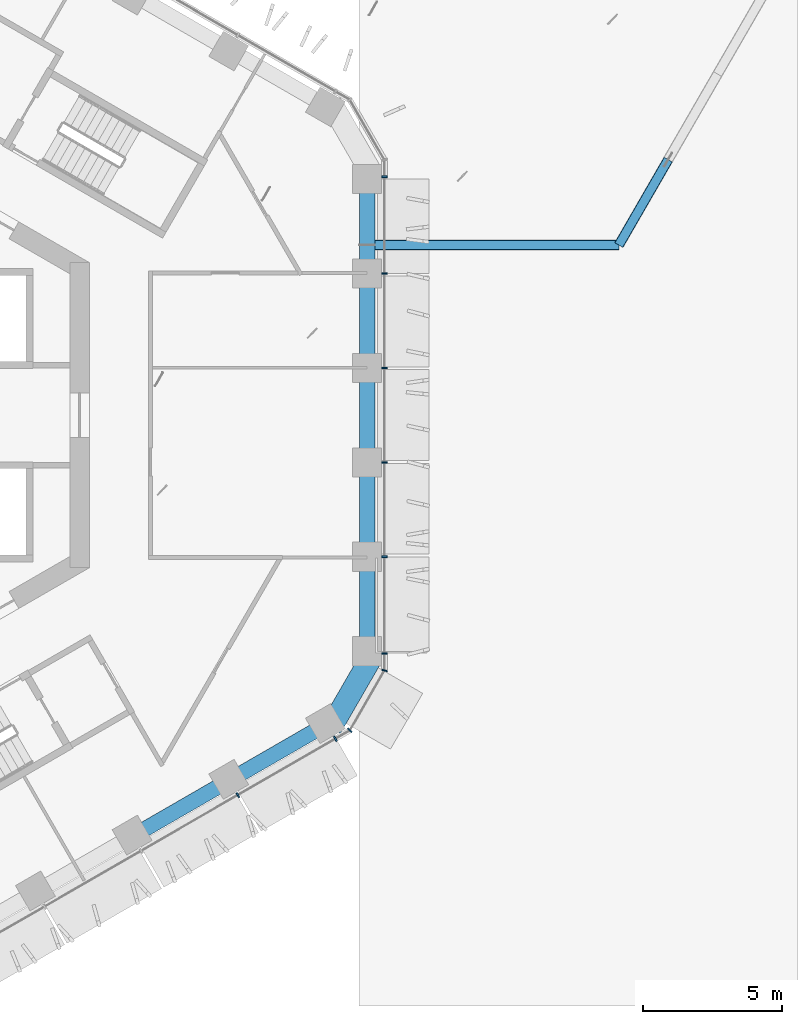
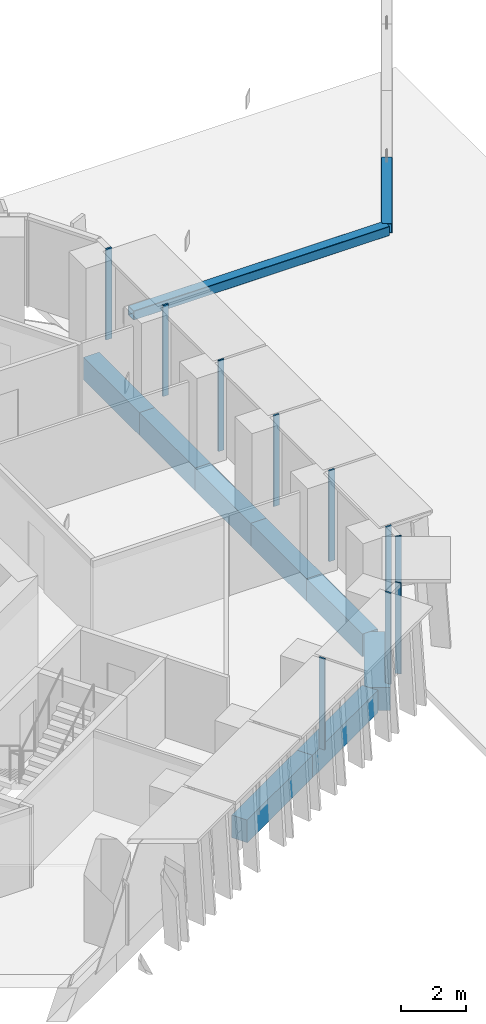
# One storey, part 4 of 25: 12 members, 8 beams, 3 elements without a shape of their own.
"""IFC4 building model written with IfcOpenShell, lengths in metres."""

from ifc_helpers import new_model, si_unit, direction, frame, origin, origin_2d, place, context, subcontext, project, spatial, rectangle, hollow_rectangle, extrude, material, layer, layer_set, material_profile, profile_set, type_object, element, aggregate, save


model = new_model("IFC4")

# Units and contexts
model_context = context("Model", 3, precision=1e-05, world=origin(), true_north=direction((0.0, 1.0)))
body_context = subcontext(model_context, "Body", "Model", "MODEL_VIEW")
ifc_project = project(units=[si_unit("LENGTHUNIT", "METRE"), si_unit("AREAUNIT", "SQUARE_METRE"), si_unit("VOLUMEUNIT", "CUBIC_METRE"), si_unit("PLANEANGLEUNIT", "RADIAN"), si_unit("MASSUNIT", "GRAM", prefix="KILO")], contexts=[model_context])

# Site, building, storey
site_placement = place(None, origin())
site = spatial("IfcSite", under=ifc_project, at=site_placement, CompositionType="ELEMENT")
building_placement = place(site_placement, origin())
building = spatial("IfcBuilding", under=site, at=building_placement, Name="Ayvan Gate Tower", CompositionType="ELEMENT")
storey_placement = place(building_placement, frame((0.0, 0.0, 132.5)))
storey = spatial("IfcBuildingStorey", under=building, at=storey_placement, Name="L35", CompositionType="ELEMENT", Elevation=132.5)

# Beam
ifc_material_1 = material(Name="Concrete C40/50", Category="concrete")
ifc_material_profile_1 = material_profile(ifc_material_1, rectangle(XDim=0.800048828125, YDim=0.85009765625, at=origin_2d()), Name="RC 800x850")
ifc_profile_set_1 = profile_set([ifc_material_profile_1], Name="Concrete C40/50")
beam_type_1 = type_object("IfcBeamType", Name="Corner spandrel beam RC 800x850 C40/50", PredefinedType="BEAM", material=ifc_profile_set_1)
beam_1_placement = place(storey_placement, frame((18.176025390625, -11.245849609375, -0.77490234375), z_axis=(0.50002537861, 0.866010750942, 0.0), x_axis=(-0.866010750942, 0.50002537861, 0.0)))
element("IfcBeam", 1, at=beam_1_placement, inside=storey, type_object=beam_type_1, Name="SB-L35-36", PredefinedType="BEAM", context=body_context, shape_type="SweptSolid", body=[
    extrude(rectangle(XDim=0.800048828125, YDim=0.85009765625, at=origin_2d()), origin(), (0.0, 0.0, 1.0), 2.999755859375),
])

# Members
ifc_material_2 = material(Name="Steel S460NH", Category="steel")
ifc_material_profile_2 = material_profile(ifc_material_2, hollow_rectangle(XDim=0.35009765625, YDim=0.35009765625, WallThickness=0.01611328125, InnerFilletRadius=0.01611328125, OuterFilletRadius=0.02392578125, at=origin_2d()), Name="RHS 350x350x16")
ifc_profile_set_2 = profile_set([ifc_material_profile_2], Name="Steel S460NH")
member_type_1 = type_object("IfcMemberType", Name="Sky bar truss brace B3 RHS 350x350x16", PredefinedType="BRACE", material=ifc_profile_set_2)
member_1_placement = place(storey_placement, frame((19.485595703125, 6.115478515625, 2.675048828125), z_axis=(1.0, 0.0, 0.0), x_axis=(0.0, 1.0, 0.0)))
element("IfcMember", 2, at=member_1_placement, inside=storey, type_object=member_type_1, Name="SBX3-B-BC-1", PredefinedType="CHORD", context=body_context, shape_type="SweptSolid", body=[
    extrude(hollow_rectangle(XDim=0.35009765625, YDim=0.35009765625, WallThickness=0.01611328125, InnerFilletRadius=0.01611328125, OuterFilletRadius=0.02392578125, at=origin_2d()), origin(), (0.0, 0.0, 1.0), 9.050048828125),
])
member_2_placement = place(storey_placement, frame((28.53564453125, 6.115478515625, 2.675048828125), z_axis=(0.500051858269, 0.865995461329, 0.0), x_axis=(-0.865995461329, 0.500051858269, 0.0)))
element("IfcMember", 3, at=member_2_placement, inside=storey, type_object=member_type_1, Name="SBX3-B-BC-2", PredefinedType="CHORD", context=body_context, shape_type="SweptSolid", body=[
    extrude(hollow_rectangle(XDim=0.35009765625, YDim=0.35009765625, WallThickness=0.01611328125, InnerFilletRadius=0.01611328125, OuterFilletRadius=0.02392578125, at=origin_2d()), origin(), (0.0, 0.0, 1.0), 3.5498046875),
])

# Beams
ifc_material_profile_3 = material_profile(ifc_material_1, rectangle(XDim=0.550048828125, YDim=0.85009765625, at=origin_2d()), Name="RC 550x850")
ifc_profile_set_3 = profile_set([ifc_material_profile_3], Name="Concrete C40/50")
beam_type_2 = type_object("IfcBeamType", Name="Spandrel beam RC 550x850 C40/50", PredefinedType="BEAM", material=ifc_profile_set_3)
beam_2_placement = place(storey_placement, frame((19.485595703125, -8.537841796875, -0.77490234375), z_axis=(0.0, 1.0, 0.0), x_axis=(-1.0, 0.0, 0.0)))
element("IfcBeam", 4, at=beam_2_placement, inside=storey, type_object=beam_type_2, Name="SB-L35-1", PredefinedType="BEAM", context=body_context, shape_type="SweptSolid", body=[
    extrude(rectangle(XDim=0.550048828125, YDim=0.85009765625, at=origin_2d()), origin(), (0.0, 0.0, 1.0), 3.4150390625),
])
beam_3_placement = place(storey_placement, frame((19.485595703125, -5.122802734375, -0.77490234375), z_axis=(0.0, 1.0, 0.0), x_axis=(-1.0, 0.0, 0.0)))
element("IfcBeam", 5, at=beam_3_placement, inside=storey, type_object=beam_type_2, Name="SB-L35-2", PredefinedType="BEAM", context=body_context, shape_type="SweptSolid", body=[
    extrude(rectangle(XDim=0.550048828125, YDim=0.85009765625, at=origin_2d()), origin(), (0.0, 0.0, 1.0), 3.415283203125),
])
beam_4_placement = place(storey_placement, frame((19.485595703125, -1.70751953125, -0.77490234375), z_axis=(0.0, 1.0, 0.0), x_axis=(-1.0, 0.0, 0.0)))
element("IfcBeam", 6, at=beam_4_placement, inside=storey, type_object=beam_type_2, Name="SB-L35-3", PredefinedType="BEAM", context=body_context, shape_type="SweptSolid", body=[
    extrude(rectangle(XDim=0.550048828125, YDim=0.85009765625, at=origin_2d()), origin(), (0.0, 0.0, 1.0), 3.4150390625),
])
beam_5_placement = place(storey_placement, frame((19.485595703125, 1.70751953125, -0.77490234375), z_axis=(0.0, 1.0, 0.0), x_axis=(-1.0, 0.0, 0.0)))
element("IfcBeam", 7, at=beam_5_placement, inside=storey, type_object=beam_type_2, Name="SB-L35-4", PredefinedType="BEAM", context=body_context, shape_type="SweptSolid", body=[
    extrude(rectangle(XDim=0.550048828125, YDim=0.85009765625, at=origin_2d()), origin(), (0.0, 0.0, 1.0), 3.415283203125),
])
beam_6_placement = place(storey_placement, frame((19.485595703125, 5.122802734375, -0.77490234375), z_axis=(0.0, 1.0, 0.0), x_axis=(-1.0, 0.0, 0.0)))
element("IfcBeam", 8, at=beam_6_placement, inside=storey, type_object=beam_type_2, Name="SB-L35-5", PredefinedType="BEAM", context=body_context, shape_type="SweptSolid", body=[
    extrude(rectangle(XDim=0.550048828125, YDim=0.85009765625, at=origin_2d()), origin(), (0.0, 0.0, 1.0), 3.4150390625),
])
beam_7_placement = place(storey_placement, frame((11.0517578125, -15.13916015625, -0.77490234375), z_axis=(0.866024114423, 0.500002233234, 0.0), x_axis=(-0.500002233234, 0.866024114423, 0.0)))
element("IfcBeam", 9, at=beam_7_placement, inside=storey, type_object=beam_type_2, Name="SB-L35-34", PredefinedType="BEAM", context=body_context, shape_type="SweptSolid", body=[
    extrude(rectangle(XDim=0.550048828125, YDim=0.85009765625, at=origin_2d()), origin(), (0.0, 0.0, 1.0), 4.00341796875),
])
beam_8_placement = place(storey_placement, frame((14.518798828125, -13.137451171875, -0.77490234375), z_axis=(0.866035275801, 0.499982900776, 0.0), x_axis=(-0.499982900776, 0.866035275801, 0.0)))
element("IfcBeam", 10, at=beam_8_placement, inside=storey, type_object=beam_type_2, Name="SB-L35-35", PredefinedType="BEAM", context=body_context, shape_type="SweptSolid", body=[
    extrude(rectangle(XDim=0.550048828125, YDim=0.85009765625, at=origin_2d()), origin(), (0.0, 0.0, 1.0), 4.003173828125),
])

# Curtain wall, members
ifc_material_3 = material(Name="Bronze anodised aluminium", Category="aluminium")
ifc_layer_1 = layer(ifc_material_3, 0.199951171875)
ifc_layer_set_1 = layer_set([ifc_layer_1], Name="Bronze anodised aluminium")
curtain_wall_type_1 = type_object("IfcCurtainWallType", Name="Stick curtain wall CW-1", PredefinedType="NOTDEFINED", material=ifc_layer_set_1)
curtain_wall_1_placement = place(storey_placement, origin())
curtain_wall_1 = element("IfcCurtainWall", 11, at=curtain_wall_1_placement, inside=storey, type_object=curtain_wall_type_1, Name="Stick curtain wall CW-1 L35", PredefinedType="NOTDEFINED")
ifc_material_profile_4 = material_profile(ifc_material_3, rectangle(XDim=0.199951171875, YDim=0.06005859375, at=origin_2d()), Name="Stick curtain wall CW-1 mullion 200 x 60")
ifc_profile_set_4 = profile_set([ifc_material_profile_4], Name="Bronze anodised aluminium")
member_type_2 = type_object("IfcMemberType", Name="Stick curtain wall CW-1 mullion 200 x 60", PredefinedType="MULLION", material=ifc_profile_set_4)
member_3_placement = place(storey_placement, frame((14.837646484375, -13.659423828125, 0.0), z_axis=(0.0, 0.0, 1.0), x_axis=(0.5, -0.866025403784, 0.0)))
member_3 = element("IfcMember", 12, at=member_3_placement, type_object=member_type_2, Name="CW-1 mullion 5", PredefinedType="MULLION", context=body_context, shape_type="SweptSolid", body=[
    extrude(rectangle(XDim=0.199951171875, YDim=0.06005859375, at=origin_2d()), origin(), (0.0, 0.0, 1.0), 3.39990234375),
])
member_4_placement = place(storey_placement, frame((18.34326171875, -11.635498046875, 0.0), z_axis=(0.0, 0.0, 1.0), x_axis=(0.5, -0.866025403784, 0.0)))
member_4 = element("IfcMember", 13, at=member_4_placement, type_object=member_type_2, Name="CW-1 mullion 6", PredefinedType="MULLION", context=body_context, shape_type="SweptSolid", body=[
    extrude(rectangle(XDim=0.199951171875, YDim=0.06005859375, at=origin_2d()), origin(), (0.0, 0.0, 1.0), 3.39990234375),
])
aggregate(curtain_wall_1, [member_3, member_4])

curtain_wall_2_placement = place(storey_placement, origin())
curtain_wall_2 = element("IfcCurtainWall", 14, at=curtain_wall_2_placement, inside=storey, type_object=curtain_wall_type_1, Name="Stick curtain wall CW-1 L35", PredefinedType="NOTDEFINED")
member_5_placement = place(storey_placement, frame((20.110595703125, -8.574462890625, 0.0), z_axis=(0.0, 0.0, 1.0), x_axis=(1.0, 0.0, 0.0)))
member_5 = element("IfcMember", 15, at=member_5_placement, type_object=member_type_2, Name="CW-1 mullion 1", PredefinedType="MULLION", context=body_context, shape_type="SweptSolid", body=[
    extrude(rectangle(XDim=0.199951171875, YDim=0.06005859375, at=origin_2d()), origin(), (0.0, 0.0, 1.0), 3.39990234375),
])
member_6_placement = place(storey_placement, frame((20.110595703125, -5.092529296875, 0.0), z_axis=(0.0, 0.0, 1.0), x_axis=(1.0, 0.0, 0.0)))
member_6 = element("IfcMember", 16, at=member_6_placement, type_object=member_type_2, Name="CW-1 mullion 2", PredefinedType="MULLION", context=body_context, shape_type="SweptSolid", body=[
    extrude(rectangle(XDim=0.199951171875, YDim=0.06005859375, at=origin_2d()), origin(), (0.0, 0.0, 1.0), 3.39990234375),
])
member_7_placement = place(storey_placement, frame((20.110595703125, -1.697509765625, 0.0), z_axis=(0.0, 0.0, 1.0), x_axis=(1.0, 0.0, 0.0)))
member_7 = element("IfcMember", 17, at=member_7_placement, type_object=member_type_2, Name="CW-1 mullion 3", PredefinedType="MULLION", context=body_context, shape_type="SweptSolid", body=[
    extrude(rectangle(XDim=0.199951171875, YDim=0.06005859375, at=origin_2d()), origin(), (0.0, 0.0, 1.0), 3.39990234375),
])
member_8_placement = place(storey_placement, frame((20.110595703125, 1.697509765625, 0.0), z_axis=(0.0, 0.0, 1.0), x_axis=(1.0, 0.0, 0.0)))
member_8 = element("IfcMember", 18, at=member_8_placement, type_object=member_type_2, Name="CW-1 mullion 4", PredefinedType="MULLION", context=body_context, shape_type="SweptSolid", body=[
    extrude(rectangle(XDim=0.199951171875, YDim=0.06005859375, at=origin_2d()), origin(), (0.0, 0.0, 1.0), 3.39990234375),
])
member_9_placement = place(storey_placement, frame((20.110595703125, 5.092529296875, 0.0), z_axis=(0.0, 0.0, 1.0), x_axis=(1.0, 0.0, 0.0)))
member_9 = element("IfcMember", 19, at=member_9_placement, type_object=member_type_2, Name="CW-1 mullion 5", PredefinedType="MULLION", context=body_context, shape_type="SweptSolid", body=[
    extrude(rectangle(XDim=0.199951171875, YDim=0.06005859375, at=origin_2d()), origin(), (0.0, 0.0, 1.0), 3.39990234375),
])
member_10_placement = place(storey_placement, frame((20.110595703125, 8.574462890625, 0.0), z_axis=(0.0, 0.0, 1.0), x_axis=(1.0, 0.0, 0.0)))
member_10 = element("IfcMember", 20, at=member_10_placement, type_object=member_type_2, Name="CW-1 mullion 6", PredefinedType="MULLION", context=body_context, shape_type="SweptSolid", body=[
    extrude(rectangle(XDim=0.199951171875, YDim=0.06005859375, at=origin_2d()), origin(), (0.0, 0.0, 1.0), 3.39990234375),
])
aggregate(curtain_wall_2, [member_5, member_6, member_7, member_8, member_9, member_10])

ifc_layer_2 = layer(ifc_material_3, 0.199951171875)
ifc_layer_set_2 = layer_set([ifc_layer_2], Name="Bronze anodised aluminium")
curtain_wall_type_2 = type_object("IfcCurtainWallType", Name="Stick curtain wall CW-6", PredefinedType="NOTDEFINED", material=ifc_layer_set_2)
curtain_wall_3_placement = place(storey_placement, origin())
curtain_wall_3 = element("IfcCurtainWall", 21, at=curtain_wall_3_placement, inside=storey, type_object=curtain_wall_type_2, Name="Stick curtain wall CW-6 L35", PredefinedType="NOTDEFINED")
ifc_material_profile_5 = material_profile(ifc_material_3, rectangle(XDim=0.199951171875, YDim=0.050048828125, at=origin_2d()), Name="Stick curtain wall CW-6 mullion 200 x 50")
ifc_profile_set_5 = profile_set([ifc_material_profile_5], Name="Bronze anodised aluminium")
member_type_3 = type_object("IfcMemberType", Name="Stick curtain wall CW-6 mullion 200 x 50", PredefinedType="MULLION", material=ifc_profile_set_5)
member_11_placement = place(storey_placement, frame((18.8671875, -11.3330078125, 0.0), z_axis=(0.0, 0.0, 1.0), x_axis=(0.707106781187, -0.707106781187, 0.0)))
member_11 = element("IfcMember", 22, at=member_11_placement, type_object=member_type_3, Name="CW-6 mullion 2", PredefinedType="MULLION", context=body_context, shape_type="SweptSolid", body=[
    extrude(rectangle(XDim=0.199951171875, YDim=0.050048828125, at=origin_2d()), origin(), (0.0, 0.0, 1.0), 3.39990234375),
])
member_12_placement = place(storey_placement, frame((20.110595703125, -9.179443359375, 0.0), z_axis=(0.0, 0.0, 1.0), x_axis=(0.965925826289, -0.258819045103, 0.0)))
member_12 = element("IfcMember", 23, at=member_12_placement, type_object=member_type_3, Name="CW-6 mullion 3", PredefinedType="MULLION", context=body_context, shape_type="SweptSolid", body=[
    extrude(rectangle(XDim=0.199951171875, YDim=0.050048828125, at=origin_2d()), origin(), (0.0, 0.0, 1.0), 3.39990234375),
])
aggregate(curtain_wall_3, [member_11, member_12])

save(model, "model.ifc")
